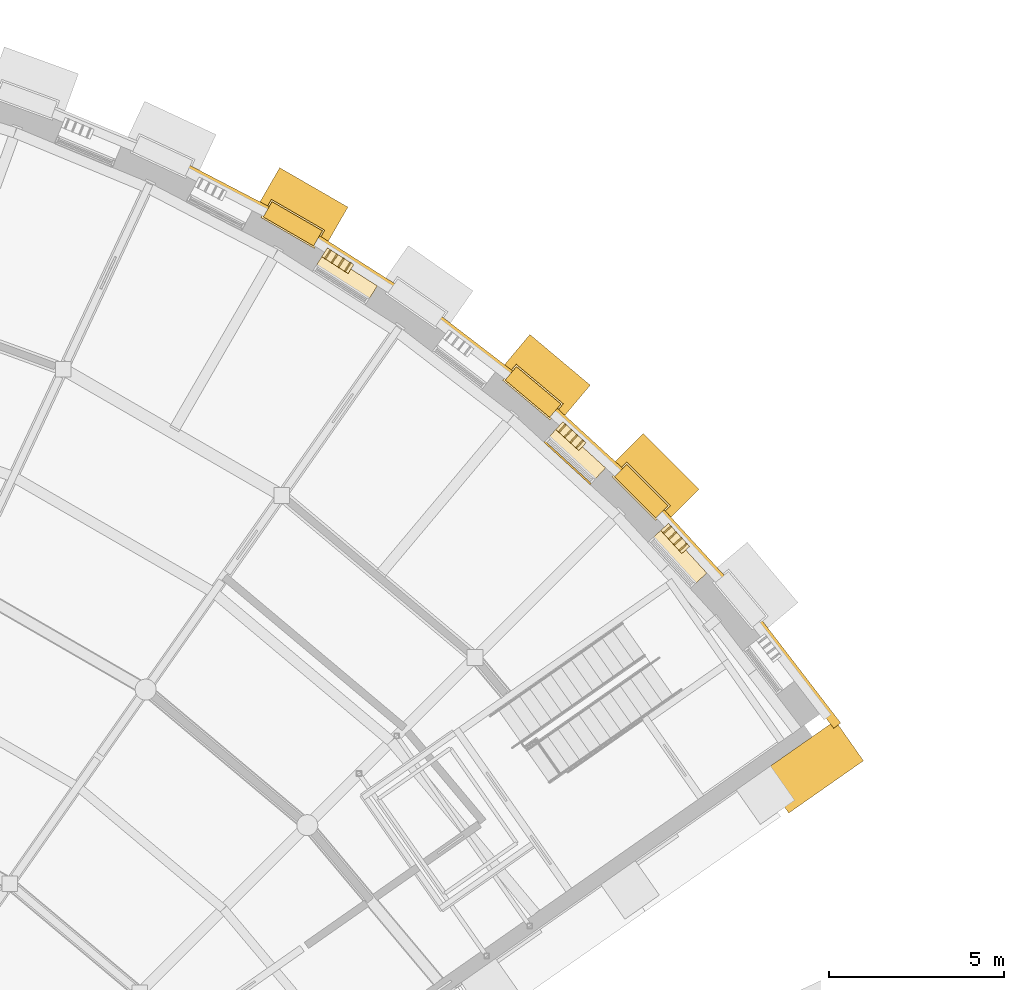
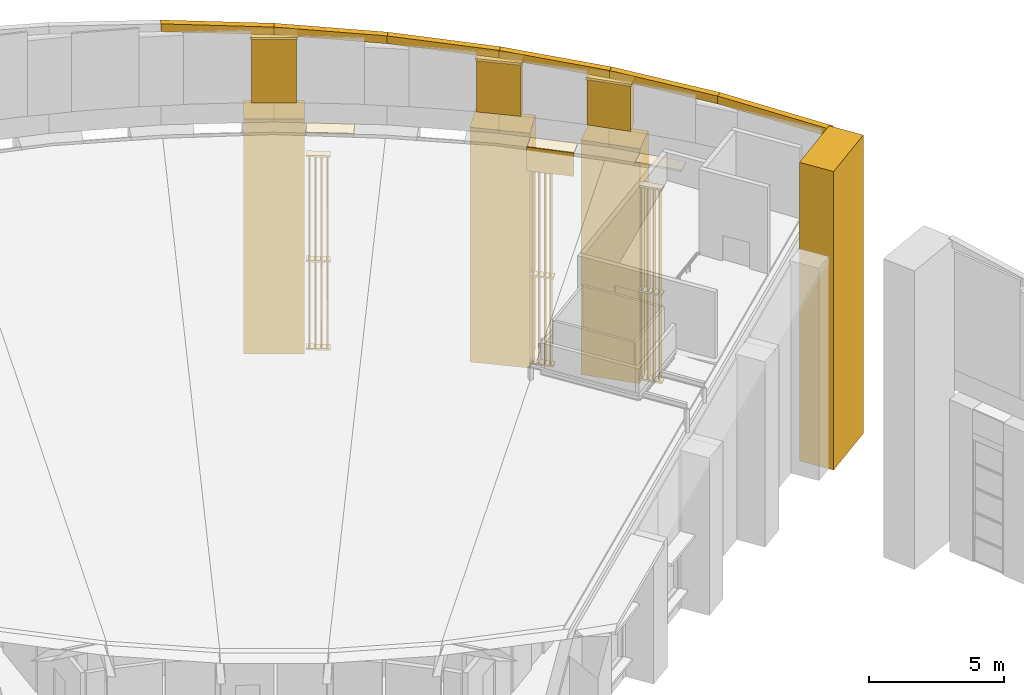
# One storey, part 81 of 82: 53 coverings.
"""IFC4 building model written with IfcOpenShell, lengths in metres."""

from ifc_helpers import new_model, si_unit, direction, frame, origin, origin_2d, place, context, subcontext, project, spatial, polyline, rectangle, outline, extrude, material, layer, layer_set, type_object, element, save


model = new_model("IFC4")

# Units and contexts
model_context = context("Model", 3, precision=1e-05, world=origin(), true_north=direction((0.0, 1.0)))
body_context = subcontext(model_context, "Body", "Model", "MODEL_VIEW")
ifc_project = project(units=[si_unit("LENGTHUNIT", "METRE"), si_unit("AREAUNIT", "SQUARE_METRE"), si_unit("VOLUMEUNIT", "CUBIC_METRE"), si_unit("PLANEANGLEUNIT", "RADIAN"), si_unit("MASSUNIT", "GRAM", prefix="KILO")], contexts=[model_context])

# Site, building, storey
site_placement = place(None, origin())
site = spatial("IfcSite", under=ifc_project, at=site_placement, CompositionType="ELEMENT")
building_placement = place(site_placement, origin())
building = spatial("IfcBuilding", under=site, at=building_placement, Name="Volute Hill Aquarium", CompositionType="ELEMENT")
storey_placement = place(building_placement, frame((0.0, 0.0, 13.800048828125)))
storey = spatial("IfcBuildingStorey", under=building, at=storey_placement, Name="L04", CompositionType="ELEMENT", Elevation=13.800048828125)

# Coverings
ifc_material_1 = material(Name="Precast concrete C40/50", Category="concrete")
covering_type_1 = type_object("IfcCoveringType", Name="Crown coping beam precast concrete C40/50 250x350", PredefinedType="CLADDING", material=ifc_material_1)
covering_1_placement = place(storey_placement, frame((36.860595703125, 30.93701171875, 13.37255859375), z_axis=(0.737277560301, 0.675589963718, 0.0), x_axis=(-0.674169348638, 0.735727229959, 0.06481614347)))
element("IfcCovering", 1, at=covering_1_placement, inside=storey, type_object=covering_type_1, Name="Crown coping beam PCB S5 b01", PredefinedType="CLADDING", context=body_context, shape_type="SweptSolid", body=[
    extrude(outline(polyline([(0.0, 0.0), (4.19606353743207, 0.0), (4.218739693094184, 0.3491178516769942), (0.02267615566211443, 0.3491178516769942), (0.0, 0.0)])), origin(), (0.0, 0.0, -1.0), 0.25),
])
covering_2_placement = place(storey_placement, frame((34.024169921875, 34.03173828125, 13.64453125), z_axis=(0.675589963718, 0.737277560301, 0.0), x_axis=(-0.735730003314, 0.674171889948, 0.064758204325)))
element("IfcCovering", 2, at=covering_2_placement, inside=storey, type_object=covering_type_1, Name="Crown coping beam PCB S5 b02", PredefinedType="CLADDING", context=body_context, shape_type="SweptSolid", body=[
    extrude(outline(polyline([(0.0, 0.0), (4.196047720250929, -5.551115123125783e-17), (4.218719415808032, 0.3493627958617077), (0.022655885448624975, 0.34911916769165074), (0.0, 0.0)])), origin(), (0.0, 0.0, -1.0), 0.25),
])
covering_3_placement = place(storey_placement, frame((30.9287109375, 36.86767578125, 13.916259765625), z_axis=(0.608760756509, 0.793353856318, 0.0), x_axis=(-0.791685668458, 0.60748071319, 0.064815009529)))
element("IfcCovering", 3, at=covering_3_placement, inside=storey, type_object=covering_type_1, Name="Crown coping beam PCB S5 b03", PredefinedType="CLADDING", context=body_context, shape_type="SweptSolid", body=[
    extrude(outline(polyline([(0.0, 0.0), (4.196136947690737, -5.551115123125783e-17), (4.2188285306166975, 0.34936150471403893), (0.022691582925960695, 0.34936150471403893), (0.0, 0.0)])), origin(), (0.0, 0.0, -1.0), 0.25),
])
covering_4_placement = place(storey_placement, frame((27.59765625, 39.423095703125, 14.188232421875), z_axis=(0.537290429262, 0.843397293465, 0.0), x_axis=(-0.841623804095, 0.536160619062, 0.064816378691)))
element("IfcCovering", 4, at=covering_4_placement, inside=storey, type_object=covering_type_1, Name="Crown coping beam PCB S5 b04", PredefinedType="CLADDING", context=body_context, shape_type="SweptSolid", body=[
    extrude(outline(polyline([(0.0, 0.0), (4.19604830975628, 0.0), (4.218740372022537, 0.34936147357979747), (0.022692062266256995, 0.34936147357979747), (0.0, 0.0)])), origin(), (0.0, 0.0, -1.0), 0.25),
])
covering_5_placement = place(storey_placement, frame((24.056640625, 41.67822265625, 14.460205078125), z_axis=(0.461776754743, 0.886996183069, 0.0), x_axis=(-0.885131073191, 0.460805764785, 0.064815356309)))
element("IfcCovering", 5, at=covering_5_placement, inside=storey, type_object=covering_type_1, Name="Crown coping beam PCB S5 b05", PredefinedType="CLADDING", context=body_context, shape_type="SweptSolid", body=[
    extrude(outline(polyline([(0.0, 0.0), (4.196114497185842, 0.0), (4.218806201518761, 0.3493614968284436), (0.022691704332917978, 0.3493614968284436), (0.0, 0.0)])), origin(), (0.0, 0.0, -1.0), 0.25),
])
covering_6_placement = place(storey_placement, frame((36.66943359375, 30.7763671875, 13.37255859375), z_axis=(-0.793339543824, -0.608779408493, 0.0), x_axis=(0.607499553311, -0.791671682342, -0.0648092594)))
element("IfcCovering", 6, at=covering_6_placement, inside=storey, type_object=covering_type_1, Name="Crown coping beam PCB S5 bea", PredefinedType="CLADDING", context=body_context, shape_type="SweptSolid", body=[
    extrude(outline(polyline([(0.0, 0.0), (4.546846193045375, 0.0), (4.524172445799384, 0.34911800810184096), (-0.022673747245990222, 0.34911800810184096), (0.0, 0.0)])), origin(), (0.0, 0.0, -1.0), 0.25),
])
ifc_material_2 = material(Name="Precast concrete C40/50", Category="concrete")
ifc_layer_1 = layer(ifc_material_2, 0.10009765625)
ifc_layer_set_1 = layer_set([ifc_layer_1], Name="Niche cap precast concrete C40/50 100")
covering_type_2 = type_object("IfcCoveringType", Name="Niche cap precast concrete C40/50 100", PredefinedType="CLADDING", material=ifc_layer_set_1)
for number, where, z_axis, x_axis, name in (
    (7, (34.9873046875, 32.06005859375, 10.48046875), (0.0, 0.0, 1.0), (-0.675585034027, 0.737282077497, 0.0), "Niche cap NC S5 L04 2"),
    (8, (32.059814453125, 34.9873046875, 10.48046875), (0.0, 0.0, 1.0), (-0.737282077497, 0.675585034027, 0.0), "Niche cap NC S5 L04 3"),
    (9, (25.497314453125, 40.02294921875, 10.48046875), (0.0, 0.0, 1.0), (-0.843385713059, 0.537308606862, 0.0), "Niche cap NC S5 L04 5"),
):
    element("IfcCovering", number, at=place(storey_placement, frame(where, z_axis=z_axis, x_axis=x_axis)), inside=storey, type_object=covering_type_2, Name=name, PredefinedType="CLADDING", context=body_context, shape_type="SweptSolid", body=[
        extrude(rectangle(XDim=1.78564453125, YDim=0.60009765625, at=origin_2d()), origin(), (0.0, 0.0, 1.0), 0.10009765625),
    ])
ifc_material_3 = material(Name="Zinc")
ifc_layer_2 = layer(ifc_material_3, 0.050048828125)
ifc_layer_set_2 = layer_set([ifc_layer_2], Name="Niche head cladding panel 50")
covering_type_3 = type_object("IfcCoveringType", Name="Niche head cladding panel 50", PredefinedType="CLADDING", material=ifc_layer_set_2)
covering_7_placement = place(storey_placement, frame((31.84033203125, 34.747802734375, 9.52587890625), z_axis=(0.0, 0.0, 1.0), x_axis=(-0.737282077497, 0.675585034027, 0.0)))
element("IfcCovering", 10, at=covering_7_placement, inside=storey, type_object=covering_type_3, Name="Niche head cladding NF S5 L04 3", PredefinedType="CLADDING", context=body_context, shape_type="SweptSolid", body=[
    extrude(rectangle(XDim=1.78564453125, YDim=0.050048828125, at=origin_2d()), origin(), (0.0, 0.0, 1.0), 1.0546875),
])
ifc_material_4 = material(Name="Precast concrete C40/50", Category="concrete")
ifc_layer_3 = layer(ifc_material_4, 0.1201171875)
ifc_layer_set_3 = layer_set([ifc_layer_3], Name="Pier crown coping precast concrete C40/50 1757x600")
covering_type_4 = type_object("IfcCoveringType", Name="Pier crown coping precast concrete C40/50 1757x600", PredefinedType="CLADDING", material=ifc_layer_set_3)
for number, where, z_axis, x_axis, name in (
    (11, (33.939697265625, 33.939697265625, 13.5244140625), (0.0, 0.0, 1.0), (-0.707106781187, 0.707106781187, 0.0), "Pier crown coping PCC S5 2"),
    (12, (30.8525390625, 36.7685546875, 13.79638671875), (0.0, 0.0, 1.0), (-0.766044443119, 0.642787609687, 0.0), "Pier crown coping PCC S5 3"),
    (13, (23.9990234375, 41.5673828125, 14.340087890625), (0.0, 0.0, 1.0), (-0.866025403784, 0.5, 0.0), "Pier crown coping PCC S5 5"),
):
    element("IfcCovering", number, at=place(storey_placement, frame(where, z_axis=z_axis, x_axis=x_axis)), inside=storey, type_object=covering_type_4, Name=name, PredefinedType="CLADDING", context=body_context, shape_type="SweptSolid", body=[
        extrude(rectangle(XDim=1.7568359375, YDim=0.60009765625, at=origin_2d()), origin(), (0.0, 0.0, 1.0), 0.1201171875),
    ])
ifc_material_5 = material(Name="Precast concrete C40/50", Category="concrete")
covering_type_5 = type_object("IfcCoveringType", Name="Pier crown fin precast concrete C40/50 1657x500", PredefinedType="CLADDING", material=ifc_material_5)
covering_8_placement = place(storey_placement, frame((33.939697265625, 33.939697265625, 11.48046875), z_axis=(0.0, 0.0, 1.0), x_axis=(-0.707106781187, 0.707106781187, 0.0)))
element("IfcCovering", 14, at=covering_8_placement, inside=storey, type_object=covering_type_5, Name="Pier crown fin PC S5 2", PredefinedType="CLADDING", context=body_context, shape_type="SweptSolid", body=[
    extrude(rectangle(XDim=1.656982421875, YDim=0.5, at=origin_2d()), origin(), (0.0, 0.0, 1.0), 2.0439453125),
])
covering_9_placement = place(storey_placement, frame((30.8525390625, 36.7685546875, 11.48046875), z_axis=(0.0, 0.0, 1.0), x_axis=(-0.766044443119, 0.642787609687, 0.0)))
element("IfcCovering", 15, at=covering_9_placement, inside=storey, type_object=covering_type_5, Name="Pier crown fin PC S5 3", PredefinedType="CLADDING", context=body_context, shape_type="SweptSolid", body=[
    extrude(rectangle(XDim=1.656982421875, YDim=0.5, at=origin_2d()), origin(), (0.0, 0.0, 1.0), 2.31591796875),
])
covering_10_placement = place(storey_placement, frame((23.9990234375, 41.5673828125, 11.48046875), z_axis=(0.0, 0.0, 1.0), x_axis=(-0.866025403784, 0.5, 0.0)))
element("IfcCovering", 16, at=covering_10_placement, inside=storey, type_object=covering_type_5, Name="Pier crown fin PC S5 5", PredefinedType="CLADDING", context=body_context, shape_type="SweptSolid", body=[
    extrude(rectangle(XDim=1.656982421875, YDim=0.5, at=origin_2d()), origin(), (0.0, 0.0, 1.0), 2.859619140625),
])
ifc_material_6 = material(Name="Aluminium", Category="aluminium")
covering_type_6 = type_object("IfcCoveringType", Name="Plant louvre slat 40x300", PredefinedType="CLADDING", material=ifc_material_6)
for number, where, z_axis, x_axis, name in (
    (17, (35.133056640625, 32.344970703125, 0.530029296875), (0.0, 0.0, 1.0), (-0.675585034027, 0.737282077497, 0.0), "Plant louvre slat S5 L04 2.1.1"),
    (18, (34.982177734375, 32.509521484375, 0.530029296875), (0.0, 0.0, 1.0), (-0.675585034027, 0.737282077497, 0.0), "Plant louvre slat S5 L04 2.1.2"),
    (19, (34.83154296875, 32.674072265625, 0.530029296875), (0.0, 0.0, 1.0), (-0.675585034027, 0.737282077497, 0.0), "Plant louvre slat S5 L04 2.1.3"),
    (20, (34.6806640625, 32.838623046875, 0.530029296875), (0.0, 0.0, 1.0), (-0.675585034027, 0.737282077497, 0.0), "Plant louvre slat S5 L04 2.1.4"),
):
    element("IfcCovering", number, at=place(storey_placement, frame(where, z_axis=z_axis, x_axis=x_axis)), inside=storey, type_object=covering_type_6, Name=name, PredefinedType="CLADDING", context=body_context, shape_type="SweptSolid", body=[
        extrude(rectangle(XDim=0.0400390625, YDim=0.300048828125, at=origin_2d()), origin(), (0.0, 0.0, 1.0), 3.8798828125),
    ])
for number, where, z_axis, x_axis, name in (
    (21, (35.133056640625, 32.344970703125, 4.48974609375), (0.0, 0.0, 1.0), (-0.675585034027, 0.737282077497, 0.0), "Plant louvre slat S5 L04 2.2.1"),
    (22, (34.982177734375, 32.509521484375, 4.48974609375), (0.0, 0.0, 1.0), (-0.675585034027, 0.737282077497, 0.0), "Plant louvre slat S5 L04 2.2.2"),
    (23, (34.83154296875, 32.674072265625, 4.48974609375), (0.0, 0.0, 1.0), (-0.675585034027, 0.737282077497, 0.0), "Plant louvre slat S5 L04 2.2.3"),
    (24, (34.6806640625, 32.838623046875, 4.48974609375), (0.0, 0.0, 1.0), (-0.675585034027, 0.737282077497, 0.0), "Plant louvre slat S5 L04 2.2.4"),
):
    element("IfcCovering", number, at=place(storey_placement, frame(where, z_axis=z_axis, x_axis=x_axis)), inside=storey, type_object=covering_type_6, Name=name, PredefinedType="CLADDING", context=body_context, shape_type="SweptSolid", body=[
        extrude(rectangle(XDim=0.0400390625, YDim=0.300048828125, at=origin_2d()), origin(), (0.0, 0.0, 1.0), 4.656005859375),
    ])
for number, where, z_axis, x_axis, name in (
    (25, (32.180419921875, 35.283935546875, 0.530029296875), (0.0, 0.0, 1.0), (-0.737282077497, 0.675585034027, 0.0), "Plant louvre slat S5 L04 3.1.1"),
    (26, (32.015625, 35.4345703125, 0.530029296875), (0.0, 0.0, 1.0), (-0.737282077497, 0.675585034027, 0.0), "Plant louvre slat S5 L04 3.1.2"),
    (27, (31.85107421875, 35.58544921875, 0.530029296875), (0.0, 0.0, 1.0), (-0.737282077497, 0.675585034027, 0.0), "Plant louvre slat S5 L04 3.1.3"),
    (28, (31.6865234375, 35.736328125, 0.530029296875), (0.0, 0.0, 1.0), (-0.737282077497, 0.675585034027, 0.0), "Plant louvre slat S5 L04 3.1.4"),
):
    element("IfcCovering", number, at=place(storey_placement, frame(where, z_axis=z_axis, x_axis=x_axis)), inside=storey, type_object=covering_type_6, Name=name, PredefinedType="CLADDING", context=body_context, shape_type="SweptSolid", body=[
        extrude(rectangle(XDim=0.0400390625, YDim=0.300048828125, at=origin_2d()), origin(), (0.0, 0.0, 1.0), 3.8798828125),
    ])
for number, where, z_axis, x_axis, name in (
    (29, (32.180419921875, 35.283935546875, 4.48974609375), (0.0, 0.0, 1.0), (-0.737282077497, 0.675585034027, 0.0), "Plant louvre slat S5 L04 3.2.1"),
    (30, (32.015625, 35.4345703125, 4.48974609375), (0.0, 0.0, 1.0), (-0.737282077497, 0.675585034027, 0.0), "Plant louvre slat S5 L04 3.2.2"),
    (31, (31.85107421875, 35.58544921875, 4.48974609375), (0.0, 0.0, 1.0), (-0.737282077497, 0.675585034027, 0.0), "Plant louvre slat S5 L04 3.2.3"),
    (32, (31.6865234375, 35.736328125, 4.48974609375), (0.0, 0.0, 1.0), (-0.737282077497, 0.675585034027, 0.0), "Plant louvre slat S5 L04 3.2.4"),
):
    element("IfcCovering", number, at=place(storey_placement, frame(where, z_axis=z_axis, x_axis=x_axis)), inside=storey, type_object=covering_type_6, Name=name, PredefinedType="CLADDING", context=body_context, shape_type="SweptSolid", body=[
        extrude(rectangle(XDim=0.0400390625, YDim=0.300048828125, at=origin_2d()), origin(), (0.0, 0.0, 1.0), 4.656005859375),
    ])
for number, where, z_axis, x_axis, name in (
    (33, (25.564453125, 40.3359375, 0.530029296875), (0.0, 0.0, 1.0), (-0.843385713059, 0.537308606862, 0.0), "Plant louvre slat S5 L04 5.1.1"),
    (34, (25.376220703125, 40.455810546875, 0.530029296875), (0.0, 0.0, 1.0), (-0.843385713059, 0.537308606862, 0.0), "Plant louvre slat S5 L04 5.1.2"),
    (35, (25.18798828125, 40.57568359375, 0.530029296875), (0.0, 0.0, 1.0), (-0.843385713059, 0.537308606862, 0.0), "Plant louvre slat S5 L04 5.1.3"),
    (36, (24.999755859375, 40.695556640625, 0.530029296875), (0.0, 0.0, 1.0), (-0.843385713059, 0.537308606862, 0.0), "Plant louvre slat S5 L04 5.1.4"),
):
    element("IfcCovering", number, at=place(storey_placement, frame(where, z_axis=z_axis, x_axis=x_axis)), inside=storey, type_object=covering_type_6, Name=name, PredefinedType="CLADDING", context=body_context, shape_type="SweptSolid", body=[
        extrude(rectangle(XDim=0.0400390625, YDim=0.300048828125, at=origin_2d()), origin(), (0.0, 0.0, 1.0), 3.8798828125),
    ])
for number, where, z_axis, x_axis, name in (
    (37, (25.564453125, 40.3359375, 4.48974609375), (0.0, 0.0, 1.0), (-0.843385713059, 0.537308606862, 0.0), "Plant louvre slat S5 L04 5.2.1"),
    (38, (25.376220703125, 40.455810546875, 4.48974609375), (0.0, 0.0, 1.0), (-0.843385713059, 0.537308606862, 0.0), "Plant louvre slat S5 L04 5.2.2"),
    (39, (25.18798828125, 40.57568359375, 4.48974609375), (0.0, 0.0, 1.0), (-0.843385713059, 0.537308606862, 0.0), "Plant louvre slat S5 L04 5.2.3"),
    (40, (24.999755859375, 40.695556640625, 4.48974609375), (0.0, 0.0, 1.0), (-0.843385713059, 0.537308606862, 0.0), "Plant louvre slat S5 L04 5.2.4"),
):
    element("IfcCovering", number, at=place(storey_placement, frame(where, z_axis=z_axis, x_axis=x_axis)), inside=storey, type_object=covering_type_6, Name=name, PredefinedType="CLADDING", context=body_context, shape_type="SweptSolid", body=[
        extrude(rectangle(XDim=0.0400390625, YDim=0.300048828125, at=origin_2d()), origin(), (0.0, 0.0, 1.0), 4.656005859375),
    ])
ifc_material_7 = material(Name="Aluminium", Category="aluminium")
covering_type_7 = type_object("IfcCoveringType", Name="Plant louvre slat rail 300x80", PredefinedType="CLADDING", material=ifc_material_7)
for number, where, z_axis, x_axis, name in (
    (41, (34.90673828125, 32.591796875, 0.449951171875), (0.0, 0.0, 1.0), (-0.675585034027, 0.737282077497, 0.0), "Plant louvre slat rail S5 L04 2.1"),
    (42, (34.90673828125, 32.591796875, 4.409912109375), (0.0, 0.0, 1.0), (-0.675585034027, 0.737282077497, 0.0), "Plant louvre slat rail S5 L04 2.2"),
    (43, (34.90673828125, 32.591796875, 9.145751953125), (0.0, 0.0, 1.0), (-0.675585034027, 0.737282077497, 0.0), "Plant louvre slat rail S5 L04 2.3"),
    (44, (31.933349609375, 35.510009765625, 0.449951171875), (0.0, 0.0, 1.0), (-0.737282077497, 0.675585034027, 0.0), "Plant louvre slat rail S5 L04 3.1"),
    (45, (31.933349609375, 35.510009765625, 4.409912109375), (0.0, 0.0, 1.0), (-0.737282077497, 0.675585034027, 0.0), "Plant louvre slat rail S5 L04 3.2"),
    (46, (31.933349609375, 35.510009765625, 9.145751953125), (0.0, 0.0, 1.0), (-0.737282077497, 0.675585034027, 0.0), "Plant louvre slat rail S5 L04 3.3"),
    (47, (25.281982421875, 40.515869140625, 0.449951171875), (0.0, 0.0, 1.0), (-0.843385713059, 0.537308606862, 0.0), "Plant louvre slat rail S5 L04 5.1"),
    (48, (25.281982421875, 40.515869140625, 4.409912109375), (0.0, 0.0, 1.0), (-0.843385713059, 0.537308606862, 0.0), "Plant louvre slat rail S5 L04 5.2"),
    (49, (25.281982421875, 40.515869140625, 9.145751953125), (0.0, 0.0, 1.0), (-0.843385713059, 0.537308606862, 0.0), "Plant louvre slat rail S5 L04 5.3"),
):
    element("IfcCovering", number, at=place(storey_placement, frame(where, z_axis=z_axis, x_axis=x_axis)), inside=storey, type_object=covering_type_7, Name=name, PredefinedType="CLADDING", context=body_context, shape_type="SweptSolid", body=[
        extrude(rectangle(XDim=0.892822265625, YDim=0.300048828125, at=origin_2d()), origin(), (0.0, 0.0, 1.0), 0.080078125),
    ])
ifc_material_8 = material(Name="Precast concrete C40/50", Category="concrete")
covering_type_8 = type_object("IfcCoveringType", Name="Projecting pier precast concrete C40/50 2249x1200", PredefinedType="CLADDING", material=ifc_material_8)
for number, where, z_axis, x_axis, name in (
    (50, (34.364013671875, 34.364013671875, 0.0), (0.0, 0.0, 1.0), (-0.707106781187, 0.707106781187, 0.0), "Projecting pier PP S5 L04 2"),
    (51, (31.23828125, 37.228271484375, 0.0), (0.0, 0.0, 1.0), (-0.766044443119, 0.642787609687, 0.0), "Projecting pier PP S5 L04 3"),
    (52, (24.299072265625, 42.0869140625, 0.0), (0.0, 0.0, 1.0), (-0.866025403784, 0.5, 0.0), "Projecting pier PP S5 L04 5"),
):
    element("IfcCovering", number, at=place(storey_placement, frame(where, z_axis=z_axis, x_axis=x_axis)), inside=storey, type_object=covering_type_8, Name=name, PredefinedType="CLADDING", context=body_context, shape_type="SweptSolid", body=[
        extrude(rectangle(XDim=2.24853515625, YDim=1.199951171875, at=origin_2d()), origin(), (0.0, 0.0, 1.0), 10.58056640625),
    ])
ifc_material_9 = material(Name="Precast concrete C40/50", Category="concrete")
covering_type_9 = type_object("IfcCoveringType", Name="Step pylon precast concrete C40/50 1400x2600", PredefinedType="CLADDING", material=ifc_material_9)
covering_11_placement = place(storey_placement, frame((38.8115234375, 26.077392578125, 0.0), z_axis=(0.0, 0.0, 1.0), x_axis=(0.819152044289, 0.573576436351, 0.0)))
element("IfcCovering", 53, at=covering_11_placement, inside=storey, type_object=covering_type_9, Name="Step pylon SPY S5A L04", PredefinedType="CLADDING", context=body_context, shape_type="SweptSolid", body=[
    extrude(rectangle(XDim=2.60009765625, YDim=1.39990234375, at=origin_2d()), origin(), (0.0, 0.0, 1.0), 13.45068359375),
])

save(model, "model.ifc")
